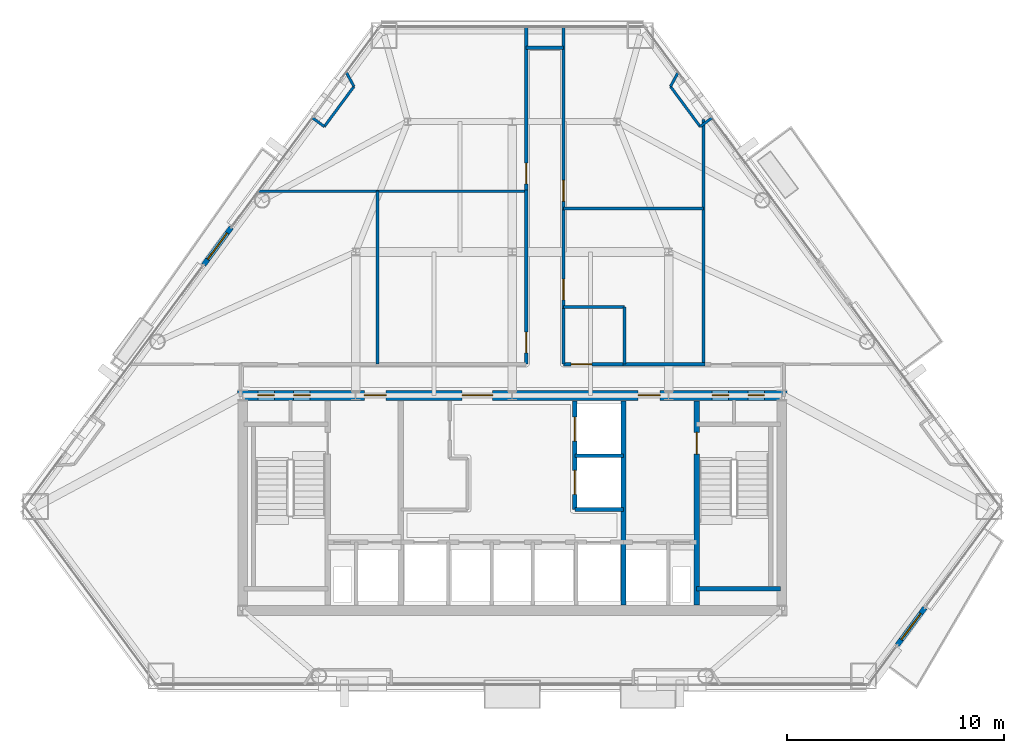
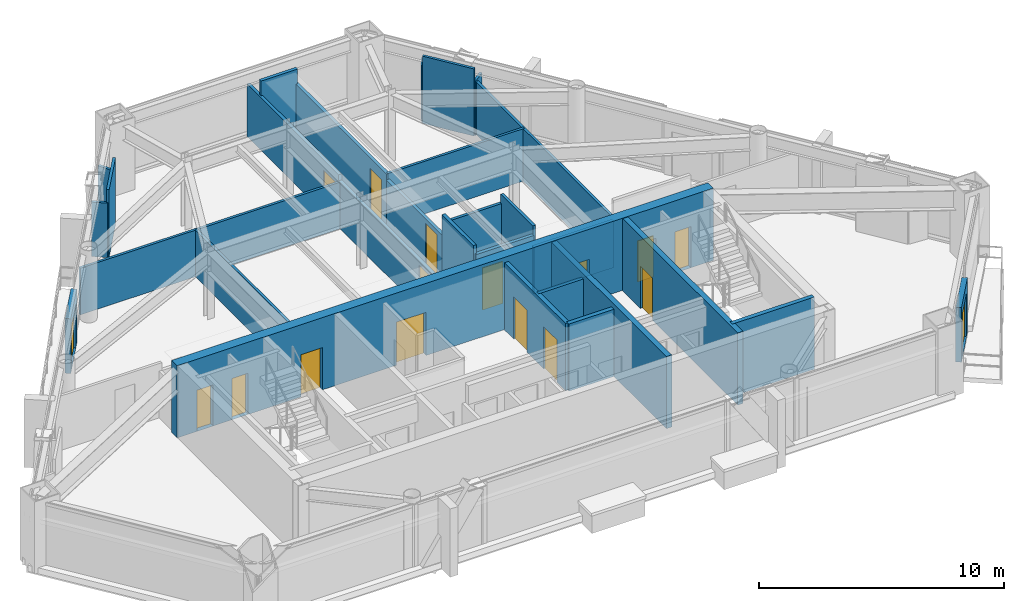
# One storey, part 8 of 11: 29 walls, 17 doors, 17 openings.
"""IFC4 building model written with IfcOpenShell, lengths in metres."""

from ifc_helpers import new_model, si_unit, direction, frame, frame_2d, origin, place, context, subcontext, project, spatial, rectangle, extrude, material, layer, layer_set, type_object, element, fill, save


model = new_model("IFC4")

# Units and contexts
model_context = context("Model", 3, precision=1e-05, world=origin(), true_north=direction((0.0, 1.0)))
body_context = subcontext(model_context, "Body", "Model", "MODEL_VIEW")
ifc_project = project(units=[si_unit("LENGTHUNIT", "METRE"), si_unit("AREAUNIT", "SQUARE_METRE"), si_unit("VOLUMEUNIT", "CUBIC_METRE"), si_unit("PLANEANGLEUNIT", "RADIAN"), si_unit("MASSUNIT", "GRAM", prefix="KILO")], contexts=[model_context])

# Site, building, storey
site_placement = place(None, origin())
site = spatial("IfcSite", under=ifc_project, at=site_placement, CompositionType="ELEMENT")
building_placement = place(site_placement, origin())
building = spatial("IfcBuilding", under=site, at=building_placement, Name="Talgorran Terracotta Tower", CompositionType="ELEMENT")
storey_placement = place(building_placement, frame((0.0, 0.0, 103.199951171875)))
storey = spatial("IfcBuildingStorey", under=building, at=storey_placement, Name="L26", CompositionType="ELEMENT", Elevation=103.199951171875)

# Wall, opening, door
ifc_material_1 = material(Name="Concrete C40/50", Category="concrete")
ifc_layer_1 = layer(ifc_material_1, 0.239990234375, Name="WT_BALCONY_SPAND")
ifc_layer_set_1 = layer_set([ifc_layer_1], Name="Concrete C40/50")
wall_type_1 = type_object("IfcWallType", Name="WT_BALCONY_SPAND", PredefinedType="STANDARD", material=ifc_layer_set_1)
wall_1_placement = place(storey_placement, frame((-12.92626953125, 3.52783203125, -0.014892578125), z_axis=(0.0, 0.0, 1.0), x_axis=(-0.594840056707, -0.803844081235, 0.0)))
wall_1 = element("IfcWall", 1, at=wall_1_placement, inside=storey, type_object=wall_type_1, Name="WL-L26-BALP-BAL-NW", PredefinedType="STANDARD", context=body_context, shape_type="SweptSolid", body=[
    extrude(rectangle(XDim=2.139892578125, YDim=0.239990234375, at=frame_2d((1.06982421875, 0.0))), origin(), (0.0, 0.0, 1.0), 2.728271484375),
])
opening_1_placement = place(wall_1_placement, frame((0.320068359375, 0.0, 0.014892578125)))
opening_1 = element("IfcOpeningElement", 2, at=opening_1_placement, cuts=wall_1, Name="Opening D-BAL-L26-2", PredefinedType="OPENING", context=body_context, shape_type="SweptSolid", body=[
    extrude(rectangle(XDim=1.506, YDim=2.203951171875, at=frame_2d((0.75, 1.10205078125))), frame((0.0, 0.1298828125, 0.0), z_axis=(0.0, -1.0, 0.0), x_axis=(1.0, 0.0, 0.0)), (0.0, 0.0, 1.0), 0.260009765625),
])
ifc_material_2 = material(Name="Thermally Broken Aluminium", Category="aluminium")
door_type_1 = type_object("IfcDoorType", Name="DT_BALC_1500", OperationType="SLIDING_TO_RIGHT", PredefinedType="DOOR", material=ifc_material_2)
door_1_placement = place(opening_1_placement, origin())
door_1 = element("IfcDoor", 3, at=door_1_placement, inside=storey, type_object=door_type_1, Name="DR-L26-BAL-BAL-NW", OperationType="SLIDING_TO_RIGHT", OverallHeight=2.199951171875, OverallWidth=1.5, PredefinedType="DOOR", context=body_context, shape_type="SweptSolid", body=[
    extrude(rectangle(XDim=1.5, YDim=2.199951171875, at=frame_2d((0.75, 1.10009765625))), frame((0.0, 0.02490234375, 0.0), z_axis=(0.0, -1.0, 0.0), x_axis=(1.0, 0.0, 0.0)), (0.0, 0.0, 1.0), 0.050048828125),
])
fill(opening_1, door_1)

wall_2_placement = place(storey_placement, frame((17.712890625, -15.69140625, -0.014892578125), z_axis=(0.0, 0.0, 1.0), x_axis=(0.59491376708, 0.803789530747, 0.0)))
wall_2 = element("IfcWall", 4, at=wall_2_placement, inside=storey, type_object=wall_type_1, Name="WL-L26-BALP-BAL-SE", PredefinedType="STANDARD", context=body_context, shape_type="SweptSolid", body=[
    extrude(rectangle(XDim=2.14013671875, YDim=0.239990234375, at=frame_2d((1.070068359375, 0.0))), origin(), (0.0, 0.0, 1.0), 2.728271484375),
])
opening_2_placement = place(wall_2_placement, frame((0.320068359375, 0.0, 0.014892578125)))
opening_2 = element("IfcOpeningElement", 5, at=opening_2_placement, cuts=wall_2, Name="Opening D-BAL-L26-3", PredefinedType="OPENING", context=body_context, shape_type="SweptSolid", body=[
    extrude(rectangle(XDim=1.506, YDim=2.203951171875, at=frame_2d((0.75, 1.10205078125))), frame((0.0, 0.1298828125, 0.0), z_axis=(0.0, -1.0, 0.0), x_axis=(1.0, 0.0, 0.0)), (0.0, 0.0, 1.0), 0.260009765625),
])
door_2_placement = place(opening_2_placement, origin())
door_2 = element("IfcDoor", 6, at=door_2_placement, inside=storey, type_object=door_type_1, Name="DR-L26-BAL-BAL-SE", OperationType="SLIDING_TO_RIGHT", OverallHeight=2.199951171875, OverallWidth=1.5, PredefinedType="DOOR", context=body_context, shape_type="SweptSolid", body=[
    extrude(rectangle(XDim=1.5, YDim=2.199951171875, at=frame_2d((0.75, 1.10009765625))), frame((0.0, 0.02490234375, 0.0), z_axis=(0.0, -1.0, 0.0), x_axis=(1.0, 0.0, 0.0)), (0.0, 0.0, 1.0), 0.050048828125),
])
fill(opening_2, door_2)

# Wall
ifc_material_3 = material(Name="Concrete C50/60", Category="concrete")
ifc_layer_2 = layer(ifc_material_3, 0.199951171875, Name="WT_CORE_200")
ifc_layer_set_2 = layer_set([ifc_layer_2], Name="Concrete C50/60")
wall_type_2 = type_object("IfcWallType", Name="WT_CORE_200", PredefinedType="SOLIDWALL", material=ifc_layer_set_2)
wall_3_placement = place(storey_placement, frame((8.47998046875, -13.10009765625, 0.0), z_axis=(0.0, 0.0, 1.0), x_axis=(1.0, 0.0, 0.0)))
element("IfcWall", 7, at=wall_3_placement, inside=storey, type_object=wall_type_2, Name="WL-L26-CW-ST2-S", PredefinedType="SOLIDWALL", context=body_context, shape_type="SweptSolid", body=[
    extrude(rectangle(XDim=3.8701171875, YDim=0.199951171875, at=frame_2d((1.93505859375, 0.0))), origin(), (0.0, 0.0, 1.0), 3.60009765625),
])

# Wall, openings, doors
wall_4_placement = place(storey_placement, frame((2.8798828125, -9.449951171875, 0.0), z_axis=(0.0, 0.0, 1.0), x_axis=(0.0, 1.0, 0.0)))
wall_4 = element("IfcWall", 8, at=wall_4_placement, inside=storey, type_object=wall_type_2, Name="WL-L26-CW-V-E3", PredefinedType="SOLIDWALL", context=body_context, shape_type="SweptSolid", body=[
    extrude(rectangle(XDim=5.0, YDim=0.199951171875, at=frame_2d((2.5, 0.0))), origin(), (0.0, 0.0, 1.0), 3.35009765625),
])
opening_3_placement = place(wall_4_placement, frame((0.699951171875, 0.0, 0.0)))
opening_3 = element("IfcOpeningElement", 9, at=opening_3_placement, cuts=wall_4, Name="Opening LD-PLM1", PredefinedType="OPENING", context=body_context, shape_type="SweptSolid", body=[
    extrude(rectangle(XDim=1.10609765625, YDim=2.10409765625, at=frame_2d((0.550048828125, 1.052001953125))), frame((0.0, 0.10986328125, 0.0), z_axis=(0.0, -1.0, 0.0), x_axis=(1.0, 0.0, 0.0)), (0.0, 0.0, 1.0), 0.219970703125),
])
opening_4_placement = place(wall_4_placement, frame((3.14990234375, 0.0, 0.0)))
opening_4 = element("IfcOpeningElement", 10, at=opening_4_placement, cuts=wall_4, Name="Opening LD-PLM2", PredefinedType="OPENING", context=body_context, shape_type="SweptSolid", body=[
    extrude(rectangle(XDim=1.10609765625, YDim=2.10409765625, at=frame_2d((0.550048828125, 1.052001953125))), frame((0.0, 0.10986328125, 0.0), z_axis=(0.0, -1.0, 0.0), x_axis=(1.0, 0.0, 0.0)), (0.0, 0.0, 1.0), 0.219970703125),
])
ifc_material_4 = material(Name="Brushed Stainless Steel Grade 304", Category="steel")
door_type_2 = type_object("IfcDoorType", Name="DT_LIFT_LD1100", OperationType="DOUBLE_DOOR_SLIDING", PredefinedType="DOOR", material=ifc_material_4)
door_3_placement = place(opening_3_placement, origin())
door_3 = element("IfcDoor", 11, at=door_3_placement, inside=storey, type_object=door_type_2, Name="L26 Lift Landing Door LD-PLM1", OperationType="DOUBLE_DOOR_SLIDING", OverallHeight=2.10009765625, OverallWidth=1.10009765625, PredefinedType="DOOR", context=body_context, shape_type="SweptSolid", body=[
    extrude(rectangle(XDim=1.10009765625, YDim=2.10009765625, at=frame_2d((0.550048828125, 1.050048828125))), frame((0.0, 0.02490234375, 0.0), z_axis=(0.0, -1.0, 0.0), x_axis=(1.0, 0.0, 0.0)), (0.0, 0.0, 1.0), 0.050048828125),
])
fill(opening_3, door_3)
door_4_placement = place(opening_4_placement, origin())
door_4 = element("IfcDoor", 12, at=door_4_placement, inside=storey, type_object=door_type_2, Name="L26 Lift Landing Door LD-PLM2", OperationType="DOUBLE_DOOR_SLIDING", OverallHeight=2.10009765625, OverallWidth=1.10009765625, PredefinedType="DOOR", context=body_context, shape_type="SweptSolid", body=[
    extrude(rectangle(XDim=1.10009765625, YDim=2.10009765625, at=frame_2d((0.550048828125, 1.050048828125))), frame((0.0, 0.02490234375, 0.0), z_axis=(0.0, -1.0, 0.0), x_axis=(1.0, 0.0, 0.0)), (0.0, 0.0, 1.0), 0.050048828125),
])
fill(opening_4, door_4)

# Wall
wall_5_placement = place(storey_placement, frame((2.8798828125, -9.449951171875, 0.0), z_axis=(0.0, 0.0, 1.0), x_axis=(1.0, 0.0, 0.0)))
element("IfcWall", 13, at=wall_5_placement, inside=storey, type_object=wall_type_2, Name="WL-L26-CW-H-E4", PredefinedType="SOLIDWALL", context=body_context, shape_type="SweptSolid", body=[
    extrude(rectangle(XDim=2.240234375, YDim=0.199951171875, at=frame_2d((1.1201171875, 0.0))), origin(), (0.0, 0.0, 1.0), 3.35009765625),
])

# Wall, opening, door
ifc_layer_3 = layer(ifc_material_3, 0.25, Name="WT_CORE_250")
ifc_layer_set_3 = layer_set([ifc_layer_3], Name="Concrete C50/60")
wall_type_3 = type_object("IfcWallType", Name="WT_CORE_250", PredefinedType="SHEAR", material=ifc_layer_set_3)
wall_6_placement = place(storey_placement, frame((8.47998046875, -13.85009765625, 0.0), z_axis=(0.0, 0.0, 1.0), x_axis=(0.0, 1.0, 0.0)))
wall_6 = element("IfcWall", 14, at=wall_6_placement, inside=storey, type_object=wall_type_3, Name="WL-L26-CW-V-E1", PredefinedType="SHEAR", context=body_context, shape_type="SweptSolid", body=[
    extrude(rectangle(XDim=9.400146484375, YDim=0.25, at=frame_2d((4.7001953125, 0.0))), origin(), (0.0, 0.0, 1.0), 3.60009765625),
])
opening_5_placement = place(wall_6_placement, frame((6.949951171875, 0.0, 0.0)))
opening_5 = element("IfcOpeningElement", 15, at=opening_5_placement, cuts=wall_6, Name="Opening DR-ST02", PredefinedType="OPENING", context=body_context, shape_type="SweptSolid", body=[
    extrude(rectangle(XDim=1.006, YDim=2.10409765625, at=frame_2d((0.5, 1.052001953125))), frame((0.0, 0.135009765625, 0.0), z_axis=(0.0, -1.0, 0.0), x_axis=(1.0, 0.0, 0.0)), (0.0, 0.0, 1.0), 0.27001953125),
])
ifc_material_5 = material(Name="Fire-Rated Pressed Steel", Category="steel")
door_type_3 = type_object("IfcDoorType", Name="DT_FIRE_1000", OperationType="NOTDEFINED", PredefinedType="DOOR", material=ifc_material_5)
door_5_placement = place(opening_5_placement, origin())
door_5 = element("IfcDoor", 16, at=door_5_placement, inside=storey, type_object=door_type_3, Name="DR-ST02", OperationType="SINGLE_SWING_RIGHT", OverallHeight=2.10009765625, OverallWidth=1.0, PredefinedType="DOOR", context=body_context, shape_type="SweptSolid", body=[
    extrude(rectangle(XDim=1.0, YDim=2.10009765625, at=frame_2d((0.5, 1.050048828125))), frame((0.0, 0.02490234375, 0.0), z_axis=(0.0, -1.0, 0.0), x_axis=(1.0, 0.0, 0.0)), (0.0, 0.0, 1.0), 0.050048828125),
])
fill(opening_5, door_5)

# Wall
wall_7_placement = place(storey_placement, frame((5.1201171875, -13.85009765625, 0.0), z_axis=(0.0, 0.0, 1.0), x_axis=(0.0, 1.0, 0.0)))
element("IfcWall", 17, at=wall_7_placement, inside=storey, type_object=wall_type_3, Name="WL-L26-CW-V-E2", PredefinedType="SHEAR", context=body_context, shape_type="SweptSolid", body=[
    extrude(rectangle(XDim=9.400146484375, YDim=0.25, at=frame_2d((4.7001953125, 0.0))), origin(), (0.0, 0.0, 1.0), 3.60009765625),
])

# Wall, openings, doors
ifc_material_6 = material(Name="Concrete C65/80", Category="concrete")
ifc_layer_4 = layer(ifc_material_6, 0.449951171875, Name="WT_CORE_EXT")
ifc_layer_set_4 = layer_set([ifc_layer_4], Name="Concrete C65/80")
wall_type_4 = type_object("IfcWallType", Name="WT_CORE_EXT", PredefinedType="SHEAR", material=ifc_layer_set_4)
wall_8_placement = place(storey_placement, frame((-12.64990234375, -4.199951171875, 0.0), z_axis=(0.0, 0.0, 1.0), x_axis=(1.0, 0.0, 0.0)))
wall_8 = element("IfcWall", 18, at=wall_8_placement, inside=storey, type_object=wall_type_4, Name="WL-L26-CW-OUT-N", PredefinedType="SHEAR", context=body_context, shape_type="SweptSolid", body=[
    extrude(rectangle(XDim=25.2998046875, YDim=0.449951171875, at=frame_2d((12.64990234375, 0.0))), origin(), (0.0, 0.0, 1.0), 3.60009765625),
])
opening_6_placement = place(wall_8_placement, frame((0.949951171875, 0.0, 0.0)))
opening_6 = element("IfcOpeningElement", 19, at=opening_6_placement, cuts=wall_8, Name="Opening DR-CSN1", PredefinedType="OPENING", context=body_context, shape_type="SweptSolid", body=[
    extrude(rectangle(XDim=0.756, YDim=2.054048828125, at=frame_2d((0.375, 1.027099609375))), frame((0.0, 0.23486328125, 0.0), z_axis=(0.0, -1.0, 0.0), x_axis=(1.0, 0.0, 0.0)), (0.0, 0.0, 1.0), 0.469970703125),
])
opening_7_placement = place(wall_8_placement, frame((2.60009765625, 0.0, 0.0)))
opening_7 = element("IfcOpeningElement", 20, at=opening_7_placement, cuts=wall_8, Name="Opening DR-CSN2", PredefinedType="OPENING", context=body_context, shape_type="SweptSolid", body=[
    extrude(rectangle(XDim=0.756, YDim=2.054048828125, at=frame_2d((0.375, 1.027099609375))), frame((0.0, 0.23486328125, 0.0), z_axis=(0.0, -1.0, 0.0), x_axis=(1.0, 0.0, 0.0)), (0.0, 0.0, 1.0), 0.469970703125),
])
opening_8_placement = place(wall_8_placement, frame((21.85009765625, 0.0, 0.0)))
opening_8 = element("IfcOpeningElement", 21, at=opening_8_placement, cuts=wall_8, Name="Opening DR-CSN3", PredefinedType="OPENING", context=body_context, shape_type="SweptSolid", body=[
    extrude(rectangle(XDim=0.756, YDim=2.054048828125, at=frame_2d((0.375, 1.027099609375))), frame((0.0, 0.23486328125, 0.0), z_axis=(0.0, -1.0, 0.0), x_axis=(1.0, 0.0, 0.0)), (0.0, 0.0, 1.0), 0.469970703125),
])
opening_9_placement = place(wall_8_placement, frame((23.5, 0.0, 0.0)))
opening_9 = element("IfcOpeningElement", 22, at=opening_9_placement, cuts=wall_8, Name="Opening DR-CSN4", PredefinedType="OPENING", context=body_context, shape_type="SweptSolid", body=[
    extrude(rectangle(XDim=0.756, YDim=2.054048828125, at=frame_2d((0.375, 1.027099609375))), frame((0.0, 0.23486328125, 0.0), z_axis=(0.0, -1.0, 0.0), x_axis=(1.0, 0.0, 0.0)), (0.0, 0.0, 1.0), 0.469970703125),
])
opening_10_placement = place(wall_8_placement, frame((5.85009765625, 0.0, 0.0)))
opening_10 = element("IfcOpeningElement", 23, at=opening_10_placement, cuts=wall_8, Name="Opening DR-FFLW-N", PredefinedType="OPENING", context=body_context, shape_type="SweptSolid", body=[
    extrude(rectangle(XDim=1.006, YDim=2.10409765625, at=frame_2d((0.5, 1.052001953125))), frame((0.0, 0.23486328125, 0.0), z_axis=(0.0, -1.0, 0.0), x_axis=(1.0, 0.0, 0.0)), (0.0, 0.0, 1.0), 0.469970703125),
])
opening_11_placement = place(wall_8_placement, frame((10.35009765625, 0.0, 0.0)))
opening_11 = element("IfcOpeningElement", 24, at=opening_11_placement, cuts=wall_8, Name="Opening DR-PLL-N", PredefinedType="OPENING", context=body_context, shape_type="SweptSolid", body=[
    extrude(rectangle(XDim=1.40590234375, YDim=2.15390234375, at=frame_2d((0.699951171875, 1.076904296875))), frame((0.0, 0.23486328125, 0.0), z_axis=(0.0, -1.0, 0.0), x_axis=(1.0, 0.0, 0.0)), (0.0, 0.0, 1.0), 0.469970703125),
])
opening_12_placement = place(wall_8_placement, frame((18.449951171875, 0.0, 0.0)))
opening_12 = element("IfcOpeningElement", 25, at=opening_12_placement, cuts=wall_8, Name="Opening DR-FFLE-N", PredefinedType="OPENING", context=body_context, shape_type="SweptSolid", body=[
    extrude(rectangle(XDim=1.006, YDim=2.10409765625, at=frame_2d((0.5, 1.052001953125))), frame((0.0, 0.23486328125, 0.0), z_axis=(0.0, -1.0, 0.0), x_axis=(1.0, 0.0, 0.0)), (0.0, 0.0, 1.0), 0.469970703125),
])
ifc_material_7 = material(Name="Acoustic Glazed Timber", Category="wood")
door_type_4 = type_object("IfcDoorType", Name="DT_DOUBLE_1400", OperationType="DOUBLE_DOOR_SINGLE_SWING", PredefinedType="DOOR", material=ifc_material_7)
door_6_placement = place(opening_11_placement, origin())
door_6 = element("IfcDoor", 26, at=door_6_placement, inside=storey, type_object=door_type_4, Name="DR-PLL-N", OperationType="DOUBLE_DOOR_SINGLE_SWING", OverallHeight=2.14990234375, OverallWidth=1.39990234375, PredefinedType="DOOR", context=body_context, shape_type="SweptSolid", body=[
    extrude(rectangle(XDim=1.39990234375, YDim=2.14990234375, at=frame_2d((0.699951171875, 1.074951171875))), frame((0.0, 0.02490234375, 0.0), z_axis=(0.0, -1.0, 0.0), x_axis=(1.0, 0.0, 0.0)), (0.0, 0.0, 1.0), 0.050048828125),
])
fill(opening_11, door_6)
door_7_placement = place(opening_10_placement, origin())
door_7 = element("IfcDoor", 27, at=door_7_placement, inside=storey, type_object=door_type_3, Name="DR-FFLW-N", OperationType="SINGLE_SWING_LEFT", OverallHeight=2.10009765625, OverallWidth=1.0, PredefinedType="DOOR", context=body_context, shape_type="SweptSolid", body=[
    extrude(rectangle(XDim=1.0, YDim=2.10009765625, at=frame_2d((0.5, 1.050048828125))), frame((0.0, 0.02490234375, 0.0), z_axis=(0.0, -1.0, 0.0), x_axis=(1.0, 0.0, 0.0)), (0.0, 0.0, 1.0), 0.050048828125),
])
fill(opening_10, door_7)
door_8_placement = place(opening_12_placement, origin())
door_8 = element("IfcDoor", 28, at=door_8_placement, inside=storey, type_object=door_type_3, Name="DR-FFLE-N", OperationType="SINGLE_SWING_RIGHT", OverallHeight=2.10009765625, OverallWidth=1.0, PredefinedType="DOOR", context=body_context, shape_type="SweptSolid", body=[
    extrude(rectangle(XDim=1.0, YDim=2.10009765625, at=frame_2d((0.5, 1.050048828125))), frame((0.0, 0.02490234375, 0.0), z_axis=(0.0, -1.0, 0.0), x_axis=(1.0, 0.0, 0.0)), (0.0, 0.0, 1.0), 0.050048828125),
])
fill(opening_12, door_8)
door_type_5 = type_object("IfcDoorType", Name="DT_RISER_750", OperationType="NOTDEFINED", PredefinedType="DOOR", material=ifc_material_5)
door_9_placement = place(opening_6_placement, origin())
door_9 = element("IfcDoor", 29, at=door_9_placement, inside=storey, type_object=door_type_5, Name="DR-CSN1", OperationType="SINGLE_SWING_LEFT", OverallHeight=2.050048828125, OverallWidth=0.75, PredefinedType="DOOR", context=body_context, shape_type="SweptSolid", body=[
    extrude(rectangle(XDim=0.75, YDim=2.050048828125, at=frame_2d((0.375, 1.02490234375))), frame((0.0, 0.02490234375, 0.0), z_axis=(0.0, -1.0, 0.0), x_axis=(1.0, 0.0, 0.0)), (0.0, 0.0, 1.0), 0.050048828125),
])
fill(opening_6, door_9)
door_10_placement = place(opening_7_placement, origin())
door_10 = element("IfcDoor", 30, at=door_10_placement, inside=storey, type_object=door_type_5, Name="DR-CSN2", OperationType="SINGLE_SWING_RIGHT", OverallHeight=2.050048828125, OverallWidth=0.75, PredefinedType="DOOR", context=body_context, shape_type="SweptSolid", body=[
    extrude(rectangle(XDim=0.75, YDim=2.050048828125, at=frame_2d((0.375, 1.02490234375))), frame((0.0, 0.02490234375, 0.0), z_axis=(0.0, -1.0, 0.0), x_axis=(1.0, 0.0, 0.0)), (0.0, 0.0, 1.0), 0.050048828125),
])
fill(opening_7, door_10)
door_11_placement = place(opening_8_placement, origin())
door_11 = element("IfcDoor", 31, at=door_11_placement, inside=storey, type_object=door_type_5, Name="DR-CSN3", OperationType="SINGLE_SWING_LEFT", OverallHeight=2.050048828125, OverallWidth=0.75, PredefinedType="DOOR", context=body_context, shape_type="SweptSolid", body=[
    extrude(rectangle(XDim=0.75, YDim=2.050048828125, at=frame_2d((0.375, 1.02490234375))), frame((0.0, 0.02490234375, 0.0), z_axis=(0.0, -1.0, 0.0), x_axis=(1.0, 0.0, 0.0)), (0.0, 0.0, 1.0), 0.050048828125),
])
fill(opening_8, door_11)
door_12_placement = place(opening_9_placement, origin())
door_12 = element("IfcDoor", 32, at=door_12_placement, inside=storey, type_object=door_type_5, Name="DR-CSN4", OperationType="SINGLE_SWING_RIGHT", OverallHeight=2.050048828125, OverallWidth=0.75, PredefinedType="DOOR", context=body_context, shape_type="SweptSolid", body=[
    extrude(rectangle(XDim=0.75, YDim=2.050048828125, at=frame_2d((0.375, 1.02490234375))), frame((0.0, 0.02490234375, 0.0), z_axis=(0.0, -1.0, 0.0), x_axis=(1.0, 0.0, 0.0)), (0.0, 0.0, 1.0), 0.050048828125),
])
fill(opening_9, door_12)

# Wall, opening, door
ifc_material_8 = material(Name="Fire-Rated Steel Stud Plasterboard", Category="steel")
ifc_layer_5 = layer(ifc_material_8, 0.14990234375, Name="WT_FIRE_150")
ifc_layer_set_5 = layer_set([ifc_layer_5], Name="Fire-Rated Steel Stud Plasterboard")
wall_type_5 = type_object("IfcWallType", Name="WT_FIRE_150", PredefinedType="PARTITIONING", material=ifc_layer_set_5)
wall_9_placement = place(storey_placement, frame((2.360107421875, 4.340087890625, 0.0), z_axis=(0.0, 0.0, 1.0), x_axis=(0.0, 1.0, 0.0)))
wall_9 = element("IfcWall", 33, at=wall_9_placement, inside=storey, type_object=wall_type_5, Name="WL-L26-W-L26-R11", PredefinedType="PARTITIONING", context=body_context, shape_type="SweptSolid", body=[
    extrude(rectangle(XDim=8.422119140625, YDim=0.14990234375, at=frame_2d((4.2109375, 0.0))), origin(), (0.0, 0.0, 1.0), 2.616943359375),
])
opening_13_placement = place(wall_9_placement, frame((0.399658203125, 0.0, 0.0)))
opening_13 = element("IfcOpeningElement", 34, at=opening_13_placement, cuts=wall_9, Name="Opening DR-L26-R06", PredefinedType="OPENING", context=body_context, shape_type="SweptSolid", body=[
    extrude(rectangle(XDim=0.955951171875, YDim=2.10409765625, at=frame_2d((0.47509765625, 1.052001953125))), frame((0.0, 0.0849609375, 0.0), z_axis=(0.0, -1.0, 0.0), x_axis=(1.0, 0.0, 0.0)), (0.0, 0.0, 1.0), 0.169921875),
])
ifc_material_9 = material(Name="Fire-Rated Timber Core", Category="wood")
door_type_6 = type_object("IfcDoorType", Name="DT_FIRE_950", OperationType="NOTDEFINED", PredefinedType="DOOR", material=ifc_material_9)
door_13_placement = place(opening_13_placement, origin())
door_13 = element("IfcDoor", 35, at=door_13_placement, inside=storey, type_object=door_type_6, Name="DR-L26-R06", OperationType="SINGLE_SWING_RIGHT", OverallHeight=2.10009765625, OverallWidth=0.949951171875, PredefinedType="DOOR", context=body_context, shape_type="SweptSolid", body=[
    extrude(rectangle(XDim=0.949951171875, YDim=2.10009765625, at=frame_2d((0.47509765625, 1.050048828125))), frame((0.0, 0.02490234375, 0.0), z_axis=(0.0, -1.0, 0.0), x_axis=(1.0, 0.0, 0.0)), (0.0, 0.0, 1.0), 0.050048828125),
])
fill(opening_13, door_13)

wall_10_placement = place(storey_placement, frame((0.639892578125, -2.760009765625, 0.0), z_axis=(0.0, 0.0, 1.0), x_axis=(0.0, 1.0, 0.0)))
wall_10 = element("IfcWall", 36, at=wall_10_placement, inside=storey, type_object=wall_type_5, Name="WL-L26-W-L26-R07", PredefinedType="PARTITIONING", context=body_context, shape_type="SweptSolid", body=[
    extrude(rectangle(XDim=8.02001953125, YDim=0.14990234375, at=frame_2d((4.010009765625, 0.0))), origin(), (0.0, 0.0, 1.0), 2.324951171875),
])
opening_14_placement = place(wall_10_placement, frame((0.519287109375, 0.0, 0.0)))
opening_14 = element("IfcOpeningElement", 37, at=opening_14_placement, cuts=wall_10, Name="Opening DR-L26-R04", PredefinedType="OPENING", context=body_context, shape_type="SweptSolid", body=[
    extrude(rectangle(XDim=0.955951171875, YDim=2.10409765625, at=frame_2d((0.47509765625, 1.052001953125))), frame((0.0, 0.0849609375, 0.0), z_axis=(0.0, -1.0, 0.0), x_axis=(1.0, 0.0, 0.0)), (0.0, 0.0, 1.0), 0.169921875),
])
door_14_placement = place(opening_14_placement, origin())
door_14 = element("IfcDoor", 38, at=door_14_placement, inside=storey, type_object=door_type_6, Name="DR-L26-R04", OperationType="SINGLE_SWING_RIGHT", OverallHeight=2.10009765625, OverallWidth=0.949951171875, PredefinedType="DOOR", context=body_context, shape_type="SweptSolid", body=[
    extrude(rectangle(XDim=0.949951171875, YDim=2.10009765625, at=frame_2d((0.47509765625, 1.050048828125))), frame((0.0, 0.02490234375, 0.0), z_axis=(0.0, -1.0, 0.0), x_axis=(1.0, 0.0, 0.0)), (0.0, 0.0, 1.0), 0.050048828125),
])
fill(opening_14, door_14)

wall_11_placement = place(storey_placement, frame((0.639892578125, 5.261962890625, 0.0), z_axis=(0.0, 0.0, 1.0), x_axis=(0.0, 1.0, 0.0)))
wall_11 = element("IfcWall", 39, at=wall_11_placement, inside=storey, type_object=wall_type_5, Name="WL-L26-W-L26-R04", PredefinedType="PARTITIONING", context=body_context, shape_type="SweptSolid", body=[
    extrude(rectangle(XDim=7.500244140625, YDim=0.14990234375, at=frame_2d((3.75, 0.0))), origin(), (0.0, 0.0, 1.0), 2.616943359375),
])
opening_15_placement = place(wall_11_placement, frame((0.277587890625, 0.0, 0.0)))
opening_15 = element("IfcOpeningElement", 40, at=opening_15_placement, cuts=wall_11, Name="Opening DR-L26-R03", PredefinedType="OPENING", context=body_context, shape_type="SweptSolid", body=[
    extrude(rectangle(XDim=0.955951171875, YDim=2.10409765625, at=frame_2d((0.47509765625, 1.052001953125))), frame((0.0, 0.0849609375, 0.0), z_axis=(0.0, -1.0, 0.0), x_axis=(1.0, 0.0, 0.0)), (0.0, 0.0, 1.0), 0.169921875),
])
door_15_placement = place(opening_15_placement, origin())
door_15 = element("IfcDoor", 41, at=door_15_placement, inside=storey, type_object=door_type_6, Name="DR-L26-R03", OperationType="SINGLE_SWING_LEFT", OverallHeight=2.10009765625, OverallWidth=0.949951171875, PredefinedType="DOOR", context=body_context, shape_type="SweptSolid", body=[
    extrude(rectangle(XDim=0.949951171875, YDim=2.10009765625, at=frame_2d((0.47509765625, 1.050048828125))), frame((0.0, 0.02490234375, 0.0), z_axis=(0.0, -1.0, 0.0), x_axis=(1.0, 0.0, 0.0)), (0.0, 0.0, 1.0), 0.050048828125),
])
fill(opening_15, door_15)

wall_12_placement = place(storey_placement, frame((2.360107421875, -0.199951171875, 0.0), z_axis=(0.0, 0.0, 1.0), x_axis=(0.0, 1.0, 0.0)))
wall_12 = element("IfcWall", 42, at=wall_12_placement, inside=storey, type_object=wall_type_5, Name="WL-L26-W-L26-R08", PredefinedType="PARTITIONING", context=body_context, shape_type="SweptSolid", body=[
    extrude(rectangle(XDim=4.537841796875, YDim=0.14990234375, at=frame_2d((2.26904296875, 0.0))), origin(), (0.0, 0.0, 1.0), 2.324951171875),
])
opening_16_placement = place(wall_12_placement, frame((0.399169921875, 0.0, 0.0)))
opening_16 = element("IfcOpeningElement", 43, at=opening_16_placement, cuts=wall_12, Name="Opening DR-L26-R05", PredefinedType="OPENING", context=body_context, shape_type="SweptSolid", body=[
    extrude(rectangle(XDim=0.955951171875, YDim=2.10409765625, at=frame_2d((0.47509765625, 1.052001953125))), frame((0.0, 0.0849609375, 0.0), z_axis=(0.0, -1.0, 0.0), x_axis=(1.0, 0.0, 0.0)), (0.0, 0.0, 1.0), 0.169921875),
])
door_16_placement = place(opening_16_placement, origin())
door_16 = element("IfcDoor", 44, at=door_16_placement, inside=storey, type_object=door_type_6, Name="DR-L26-R05", OperationType="SINGLE_SWING_LEFT", OverallHeight=2.10009765625, OverallWidth=0.949951171875, PredefinedType="DOOR", context=body_context, shape_type="SweptSolid", body=[
    extrude(rectangle(XDim=0.949951171875, YDim=2.10009765625, at=frame_2d((0.47509765625, 1.050048828125))), frame((0.0, 0.02490234375, 0.0), z_axis=(0.0, -1.0, 0.0), x_axis=(1.0, 0.0, 0.0)), (0.0, 0.0, 1.0), 0.050048828125),
])
fill(opening_16, door_16)

# Wall
wall_13_placement = place(storey_placement, frame((5.10009765625, -2.760009765625, 0.0), z_axis=(0.0, 0.0, 1.0), x_axis=(1.0, 0.0, 0.0)))
element("IfcWall", 45, at=wall_13_placement, inside=storey, type_object=wall_type_5, Name="WL-L26-W-L26-R09", PredefinedType="PARTITIONING", context=body_context, shape_type="SweptSolid", body=[
    extrude(rectangle(XDim=3.760009765625, YDim=0.14990234375, at=frame_2d((1.8798828125, 0.0))), origin(), (0.0, 0.0, 1.0), 2.324951171875),
])

# Wall, opening, door
wall_14_placement = place(storey_placement, frame((2.360107421875, -2.760009765625, 0.0), z_axis=(0.0, 0.0, 1.0), x_axis=(1.0, 0.0, 0.0)))
wall_14 = element("IfcWall", 46, at=wall_14_placement, inside=storey, type_object=wall_type_5, Name="WL-L26-W-L26-R02", PredefinedType="PARTITIONING", context=body_context, shape_type="SweptSolid", body=[
    extrude(rectangle(XDim=2.73779296875, YDim=0.14990234375, at=frame_2d((1.368896484375, 0.0))), origin(), (0.0, 0.0, 1.0), 2.918701171875),
])
opening_17_placement = place(wall_14_placement, frame((0.355712890625, 0.0, 0.0)))
opening_17 = element("IfcOpeningElement", 47, at=opening_17_placement, cuts=wall_14, Name="Opening DR-L26-R01", PredefinedType="OPENING", context=body_context, shape_type="SweptSolid", body=[
    extrude(rectangle(XDim=0.955951171875, YDim=2.10409765625, at=frame_2d((0.47509765625, 1.052001953125))), frame((0.0, 0.0849609375, 0.0), z_axis=(0.0, -1.0, 0.0), x_axis=(1.0, 0.0, 0.0)), (0.0, 0.0, 1.0), 0.169921875),
])
door_17_placement = place(opening_17_placement, origin())
door_17 = element("IfcDoor", 48, at=door_17_placement, inside=storey, type_object=door_type_6, Name="DR-L26-R01", OperationType="SINGLE_SWING_LEFT", OverallHeight=2.10009765625, OverallWidth=0.949951171875, PredefinedType="DOOR", context=body_context, shape_type="SweptSolid", body=[
    extrude(rectangle(XDim=0.949951171875, YDim=2.10009765625, at=frame_2d((0.47509765625, 1.050048828125))), frame((0.0, 0.02490234375, 0.0), z_axis=(0.0, -1.0, 0.0), x_axis=(1.0, 0.0, 0.0)), (0.0, 0.0, 1.0), 0.050048828125),
])
fill(opening_17, door_17)

# Walls
wall_15_placement = place(storey_placement, frame((2.360107421875, -2.760009765625, 0.0), z_axis=(0.0, 0.0, 1.0), x_axis=(0.0, 1.0, 0.0)))
element("IfcWall", 49, at=wall_15_placement, inside=storey, type_object=wall_type_5, Name="WL-L26-W-L26-R01", PredefinedType="PARTITIONING", context=body_context, shape_type="SweptSolid", body=[
    extrude(rectangle(XDim=2.55810546875, YDim=0.14990234375, at=frame_2d((1.279052734375, 0.0))), origin(), (0.0, 0.0, 1.0), 3.35009765625),
])
wall_16_placement = place(storey_placement, frame((0.639892578125, 11.800048828125, 0.0), z_axis=(0.0, 0.0, 1.0), x_axis=(1.0, 0.0, 0.0)))
element("IfcWall", 50, at=wall_16_placement, inside=storey, type_object=wall_type_5, Name="WL-L26-W-L26-R05", PredefinedType="PARTITIONING", context=body_context, shape_type="SweptSolid", body=[
    extrude(rectangle(XDim=1.72021484375, YDim=0.14990234375, at=frame_2d((0.860107421875, 0.0))), origin(), (0.0, 0.0, 1.0), 3.35009765625),
])
ifc_material_10 = material(Name="Insulated Steel Stud Plasterboard", Category="steel")
ifc_layer_6 = layer(ifc_material_10, 0.1201171875, Name="WT_PART_120")
ifc_layer_set_6 = layer_set([ifc_layer_6], Name="Insulated Steel Stud Plasterboard")
wall_type_6 = type_object("IfcWallType", Name="WT_PART_120", PredefinedType="PARTITIONING", material=ifc_layer_set_6)
wall_17_placement = place(storey_placement, frame((-6.199951171875, -2.760009765625, 0.0), z_axis=(0.0, 0.0, 1.0), x_axis=(0.0, 1.0, 0.0)))
element("IfcWall", 51, at=wall_17_placement, inside=storey, type_object=wall_type_6, Name="WL-L26-W-L26-R18", PredefinedType="PARTITIONING", context=body_context, shape_type="SweptSolid", body=[
    extrude(rectangle(XDim=7.9599609375, YDim=0.1201171875, at=frame_2d((3.97998046875, 0.0))), origin(), (0.0, 0.0, 1.0), 2.324951171875),
])
wall_18_placement = place(storey_placement, frame((8.800048828125, -2.760009765625, 0.0), z_axis=(0.0, 0.0, 1.0), x_axis=(0.0, 1.0, 0.0)))
element("IfcWall", 52, at=wall_18_placement, inside=storey, type_object=wall_type_6, Name="WL-L26-W-L26-R22", PredefinedType="PARTITIONING", context=body_context, shape_type="SweptSolid", body=[
    extrude(rectangle(XDim=11.260009765625, YDim=0.1201171875, at=frame_2d((5.6298828125, 0.0))), origin(), (0.0, 0.0, 1.0), 2.616943359375),
])
wall_19_placement = place(storey_placement, frame((-11.688720703125, 5.199951171875, 0.0), z_axis=(0.0, 0.0, 1.0), x_axis=(1.0, 0.0, 0.0)))
element("IfcWall", 53, at=wall_19_placement, inside=storey, type_object=wall_type_6, Name="WL-L26-W-L26-R20", PredefinedType="PARTITIONING", context=body_context, shape_type="SweptSolid", body=[
    extrude(rectangle(XDim=12.32861328125, YDim=0.1201171875, at=frame_2d((6.164306640625, 0.0))), origin(), (0.0, 0.0, 1.0), 2.324951171875),
])
wall_20_placement = place(storey_placement, frame((2.360107421875, 4.39990234375, 0.0), z_axis=(0.0, 0.0, 1.0), x_axis=(1.0, 0.0, 0.0)))
element("IfcWall", 54, at=wall_20_placement, inside=storey, type_object=wall_type_6, Name="WL-L26-W-L26-R21", PredefinedType="PARTITIONING", context=body_context, shape_type="SweptSolid", body=[
    extrude(rectangle(XDim=6.43994140625, YDim=0.1201171875, at=frame_2d((3.219970703125, 0.0))), origin(), (0.0, 0.0, 1.0), 2.616943359375),
])
for number, where, z_axis, x_axis, name in (
    (55, (-7.280517578125, 10.012939453125, 0.0), (0.0, 0.0, 1.0), (-0.594914508596, -0.803788981924, 0.0), "WL-L26-BW-L26-15"),
    (56, (8.6455078125, 8.168701171875, 0.0), (0.0, 0.0, 1.0), (-0.594914508596, 0.803788981924, 0.0), "WL-L26-BW-L26-18"),
):
    element("IfcWall", number, at=place(storey_placement, frame(where, z_axis=z_axis, x_axis=x_axis)), inside=storey, type_object=wall_type_6, Name=name, PredefinedType="PARTITIONING", context=body_context, shape_type="SweptSolid", body=[
        extrude(rectangle(XDim=2.29443359375, YDim=0.1201171875, at=frame_2d((1.147216796875, 0.0))), origin(), (0.0, 0.0, 1.0), 3.35009765625),
    ])
for number, where, z_axis, x_axis, name in (
    (57, (-7.6337890625, 10.661865234375, 0.0), (0.0, 0.0, 1.0), (0.478134282015, -0.878286746093, 0.0), "WL-L26-BW-L26-14"),
    (58, (7.280517578125, 10.012939453125, 0.0), (0.0, 0.0, 1.0), (0.478134282015, 0.878286746093, 0.0), "WL-L26-BW-L26-19"),
):
    element("IfcWall", number, at=place(storey_placement, frame(where, z_axis=z_axis, x_axis=x_axis)), inside=storey, type_object=wall_type_6, Name=name, PredefinedType="PARTITIONING", context=body_context, shape_type="SweptSolid", body=[
        extrude(rectangle(XDim=0.73876953125, YDim=0.1201171875, at=frame_2d((0.369384765625, 0.0))), origin(), (0.0, 0.0, 1.0), 2.71337890625),
    ])
for number, where, z_axis, x_axis, name in (
    (59, (-8.6455078125, 8.168701171875, 0.0), (0.0, 0.0, 1.0), (-0.803615295139, 0.595149105198, 0.0), "WL-L26-BW-L26-16"),
    (60, (9.183837890625, 8.5673828125, 0.0), (0.0, 0.0, 1.0), (-0.803615295139, -0.595149105198, 0.0), "WL-L26-BW-L26-17"),
):
    element("IfcWall", number, at=place(storey_placement, frame(where, z_axis=z_axis, x_axis=x_axis)), inside=storey, type_object=wall_type_6, Name=name, PredefinedType="PARTITIONING", context=body_context, shape_type="SweptSolid", body=[
        extrude(rectangle(XDim=0.669921875, YDim=0.1201171875, at=frame_2d((0.3349609375, 0.0))), origin(), (0.0, 0.0, 1.0), 2.71337890625),
    ])
ifc_material_11 = material(Name="Moisture-Resistant Stud Wall")
ifc_layer_7 = layer(ifc_material_11, 0.135009765625, Name="WT_PART_135")
ifc_layer_set_7 = layer_set([ifc_layer_7], Name="Moisture-Resistant Stud Wall")
wall_type_7 = type_object("IfcWallType", Name="WT_PART_135", PredefinedType="PARTITIONING", material=ifc_layer_set_7)
wall_21_placement = place(storey_placement, frame((2.360107421875, -0.139892578125, 0.0), z_axis=(0.0, 0.0, 1.0), x_axis=(1.0, 0.0, 0.0)))
element("IfcWall", 61, at=wall_21_placement, inside=storey, type_object=wall_type_7, Name="WL-L26-W-L26-R15", PredefinedType="PARTITIONING", context=body_context, shape_type="SweptSolid", body=[
    extrude(rectangle(XDim=2.7998046875, YDim=0.135009765625, at=frame_2d((1.39990234375, 0.0))), origin(), (0.0, 0.0, 1.0), 2.918701171875),
])
wall_22_placement = place(storey_placement, frame((5.159912109375, -2.760009765625, 0.0), z_axis=(0.0, 0.0, 1.0), x_axis=(0.0, 1.0, 0.0)))
element("IfcWall", 62, at=wall_22_placement, inside=storey, type_object=wall_type_7, Name="WL-L26-W-L26-R16", PredefinedType="PARTITIONING", context=body_context, shape_type="SweptSolid", body=[
    extrude(rectangle(XDim=2.6201171875, YDim=0.135009765625, at=frame_2d((1.31005859375, 0.0))), origin(), (0.0, 0.0, 1.0), 3.35009765625),
])
ifc_material_12 = material(Name="Fire-Rated Shaftwall")
ifc_layer_8 = layer(ifc_material_12, 0.159912109375, Name="WT_PART_150")
ifc_layer_set_8 = layer_set([ifc_layer_8], Name="Fire-Rated Shaftwall")
wall_type_8 = type_object("IfcWallType", Name="WT_PART_150", PredefinedType="PARTITIONING", material=ifc_layer_set_8)
wall_23_placement = place(storey_placement, frame((2.8798828125, -6.97998046875, 0.0), z_axis=(0.0, 0.0, 1.0), x_axis=(1.0, 0.0, 0.0)))
element("IfcWall", 63, at=wall_23_placement, inside=storey, type_object=wall_type_8, Name="WL-L26-CW-PLM-DIV", PredefinedType="PARTITIONING", context=body_context, shape_type="SweptSolid", body=[
    extrude(rectangle(XDim=2.240234375, YDim=0.159912109375, at=frame_2d((1.1201171875, 0.0))), origin(), (0.0, 0.0, 1.0), 3.35009765625),
])

save(model, "model.ifc")
